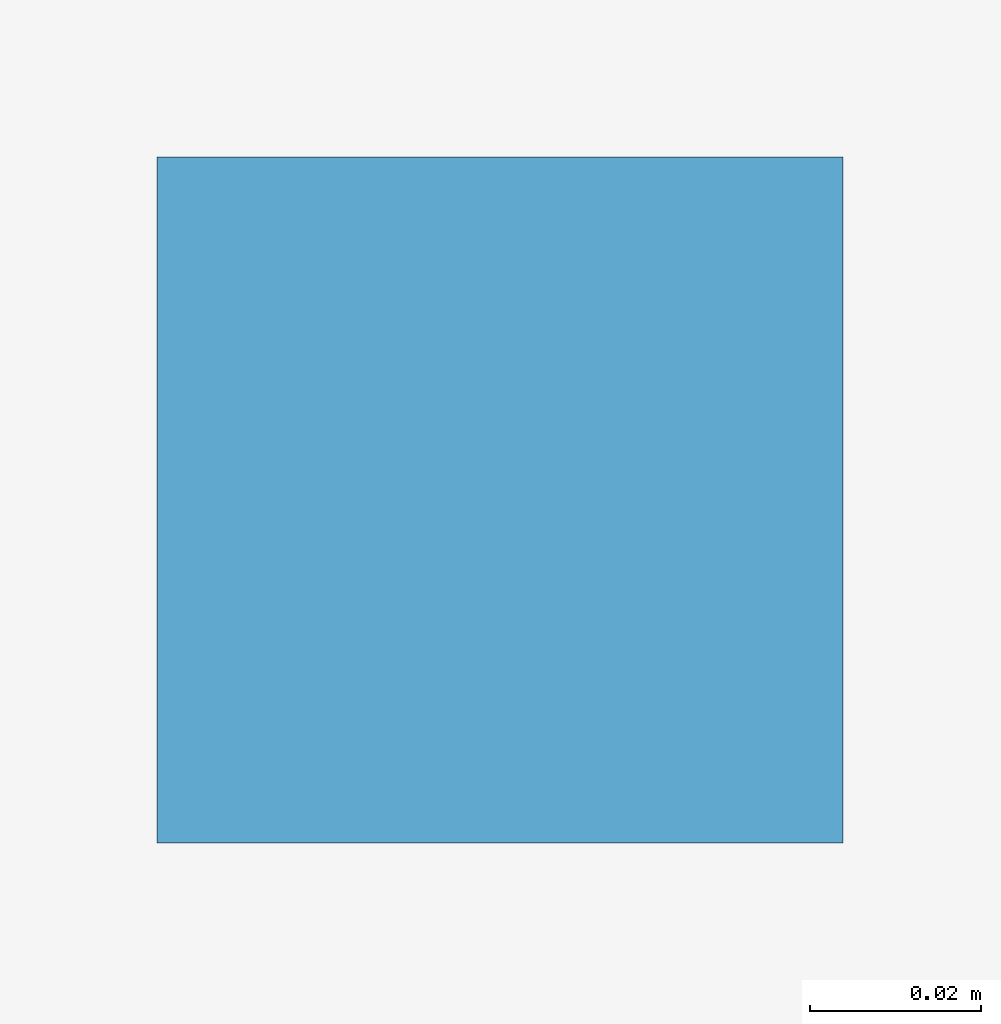
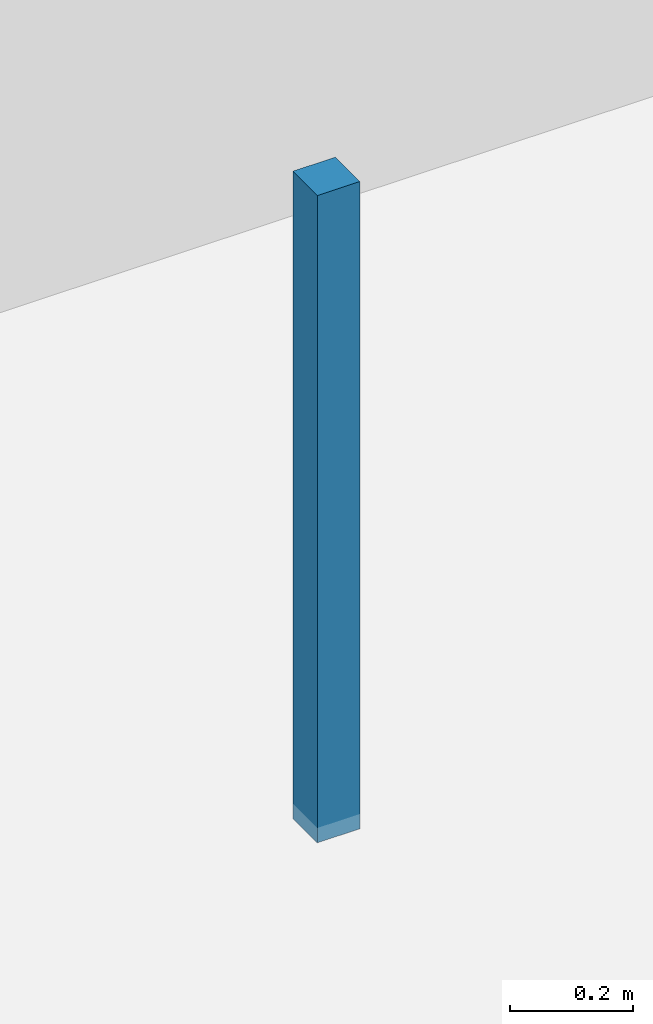
# One storey, part 10 of 14: 1 discrete accessory.
"""IFC4 building model written with IfcOpenShell, lengths in metres."""

from ifc_helpers import new_model, si_unit, direction, frame, origin, origin_2d, place, context, subcontext, project, spatial, rectangle, extrude, source, transform, mapped, material, type_object, element, save


model = new_model("IFC4")

# Units and contexts
model_context = context("Model", 3, precision=1e-05, world=origin(), true_north=direction((0.0, 1.0)))
body_context = subcontext(model_context, "Body", "Model", "MODEL_VIEW")
ifc_project = project(units=[si_unit("LENGTHUNIT", "METRE"), si_unit("AREAUNIT", "SQUARE_METRE"), si_unit("VOLUMEUNIT", "CUBIC_METRE"), si_unit("PLANEANGLEUNIT", "RADIAN"), si_unit("MASSUNIT", "GRAM", prefix="KILO")], contexts=[model_context])

# Site, building, storey
site_placement = place(None, origin())
site = spatial("IfcSite", under=ifc_project, at=site_placement, CompositionType="ELEMENT")
building_placement = place(site_placement, origin())
building = spatial("IfcBuilding", under=site, at=building_placement, Name="Giltprow Tower", CompositionType="ELEMENT")
storey_placement = place(building_placement, frame((0.0, 0.0, 5.60009765625)))
storey = spatial("IfcBuildingStorey", under=building, at=storey_placement, Name="L02", CompositionType="ELEMENT", Elevation=5.60009765625)

# Discrete accessory
ifc_material = material(Name="Structural steel Q355B", Category="steel")
discrete_accessory_type = type_object("IfcDiscreteAccessoryType", Name="ACC-CLG-HANGER", PredefinedType="BRACKET", material=ifc_material)
shared_shape = source(origin(), body_context, "Body", "SweptSolid", [
    extrude(rectangle(XDim=0.080078125, YDim=0.080078125, at=origin_2d()), origin(), (0.0, 0.0, 1.0), 1.2900390625),
])
discrete_accessory_placement = place(storey_placement, frame((7.89990234375, 11.85009765625, 3.269775390625), z_axis=(0.0, 0.0, 1.0), x_axis=(1.0, 0.0, 0.0)))
element("IfcDiscreteAccessory", 1, at=discrete_accessory_placement, inside=storey, type_object=discrete_accessory_type, Name="L02 Acoustic Suspended Ceiling Suspension Hanger", PredefinedType="BRACKET", context=body_context, shape_type="MappedRepresentation", body=[
    mapped(shared_shape, transform((0.0, 0.0, 0.0), x_axis=(1.0, 0.0, 0.0), y_axis=(0.0, 1.0, 0.0), z_axis=(0.0, 0.0, 1.0), scale=1.0)),
])

save(model, "model.ifc")
